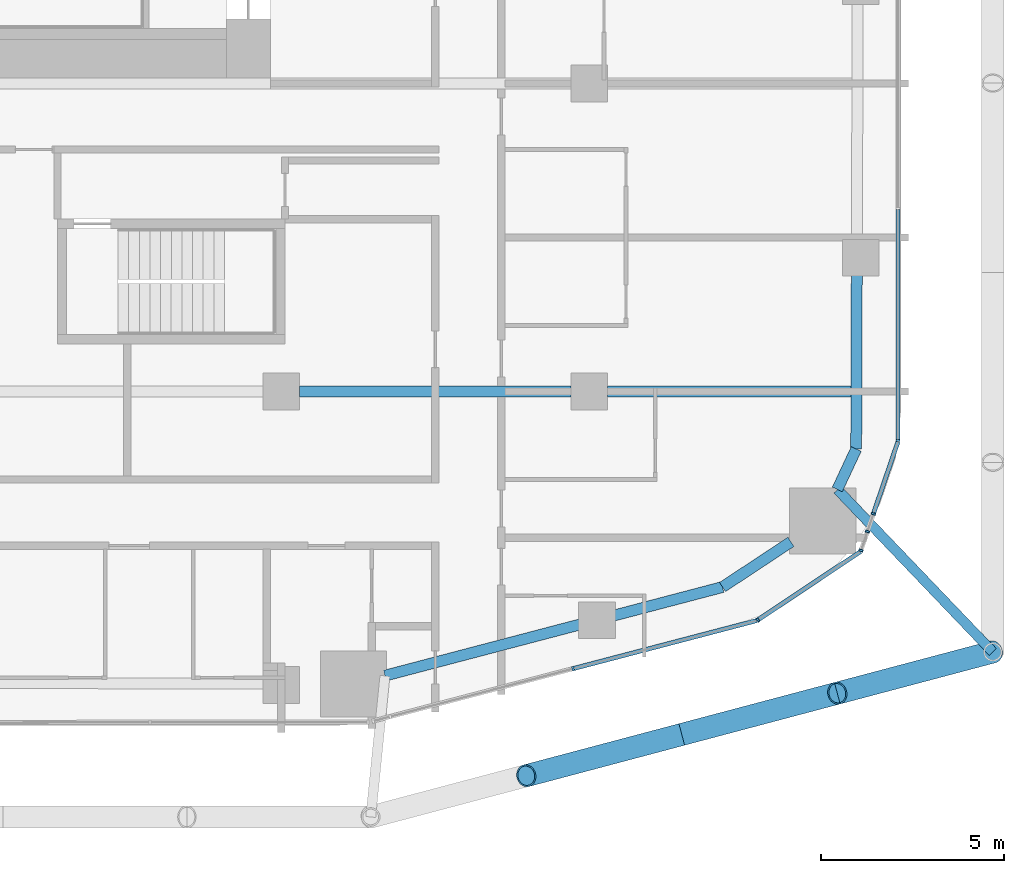
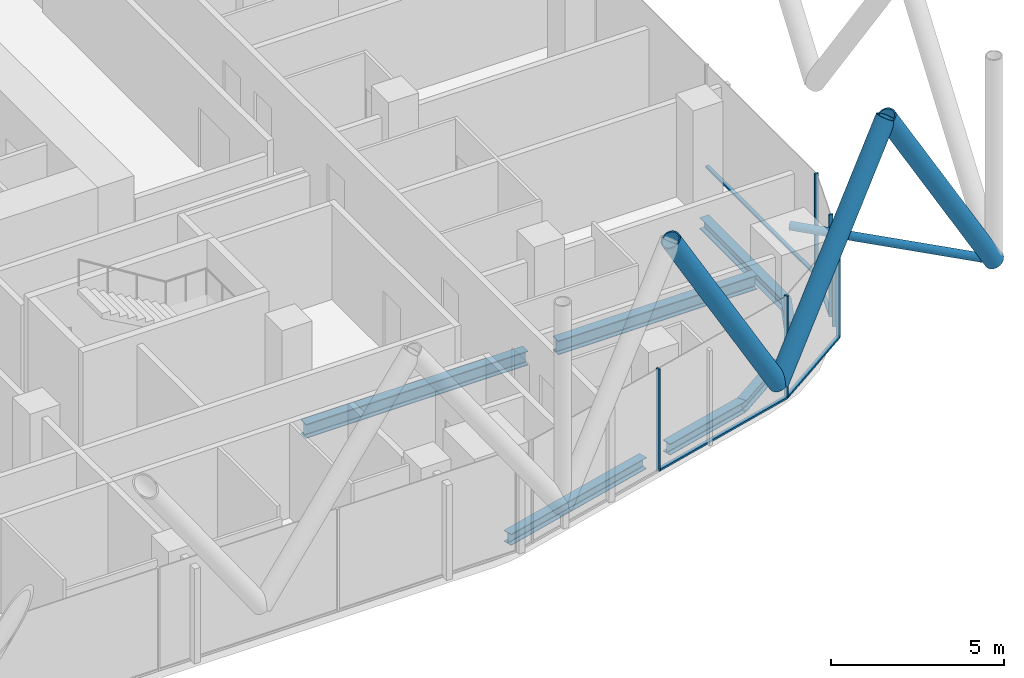
# One storey, part 6 of 35: 14 members, 7 beams, 6 elements without a shape of their own.
"""IFC4 building model written with IfcOpenShell, lengths in metres."""

from ifc_helpers import new_model, si_unit, direction, frame, origin, origin_2d, place, context, subcontext, project, spatial, rectangle, hollow_circle, i_section, extrude, material, layer, layer_set, material_profile, profile_set, type_object, element, aggregate, save


model = new_model("IFC4")

# Units and contexts
model_context = context("Model", 3, precision=1e-05, world=origin(), true_north=direction((0.0, 1.0)))
body_context = subcontext(model_context, "Body", "Model", "MODEL_VIEW")
ifc_project = project(units=[si_unit("LENGTHUNIT", "METRE"), si_unit("AREAUNIT", "SQUARE_METRE"), si_unit("VOLUMEUNIT", "CUBIC_METRE"), si_unit("PLANEANGLEUNIT", "RADIAN"), si_unit("MASSUNIT", "GRAM", prefix="KILO")], contexts=[model_context])

# Site, building, storey
site_placement = place(None, origin())
site = spatial("IfcSite", under=ifc_project, at=site_placement, CompositionType="ELEMENT")
building_placement = place(site_placement, origin())
building = spatial("IfcBuilding", under=site, at=building_placement, Name="Marenta Gate Hotel Tower", CompositionType="ELEMENT")
storey_placement = place(building_placement, frame((0.0, 0.0, 61.699951171875)))
storey = spatial("IfcBuildingStorey", under=building, at=storey_placement, Name="L13", CompositionType="ELEMENT", Elevation=61.699951171875)

# Members
ifc_material_1 = material(Name="Steel S355J2W", Category="steel")
ifc_material_profile_1 = material_profile(ifc_material_1, hollow_circle(Radius=0.304931640625, WallThickness=0.0400390625, at=origin_2d()), Name="CHS 610x40")
ifc_profile_set_1 = profile_set([ifc_material_profile_1], Name="Steel S355J2W")
member_type_1 = type_object("IfcMemberType", Name="Diagrid diagonal Z1 CHS 610x40", PredefinedType="BRACE", material=ifc_profile_set_1)
for number, where, z_axis, x_axis, name in (
    (1, (32.0, -15.500244140625, 3.14013671875), (-0.502925961678, -0.133405107407, 0.853972221087), (0.256391194513, -0.966573098827, 0.0), "L13-DG-11"),
    (2, (23.51953125, -17.75, 3.14013671875), (0.502924018666, 0.133433548941, 0.853968921838), (-0.256443187528, 0.96655930577, 0.0), "L13-DG-12"),
    (3, (23.51953125, -17.75, 3.14013671875), (-0.502924018666, -0.133433548941, 0.853968921838), (0.256443187528, -0.96655930577, 0.0), "L13-DG-13"),
):
    element("IfcMember", number, at=place(storey_placement, frame(where, z_axis=z_axis, x_axis=x_axis)), inside=storey, type_object=member_type_1, Name=name, PredefinedType="BRACE", context=body_context, shape_type="SweptSolid", body=[
        extrude(hollow_circle(Radius=0.304931640625, WallThickness=0.0400390625, at=origin_2d()), origin(), (0.0, 0.0, 1.0), 8.43115234375),
    ])

# Beams
ifc_material_2 = material(Name="Steel S355", Category="steel")
ifc_material_profile_2 = material_profile(ifc_material_2, i_section(OverallWidth=0.300048828125, OverallDepth=0.39990234375, WebThickness=0.013427734375, FlangeThickness=0.02392578125, FilletRadius=0.027099609375, at=origin_2d()), Name="HEB 400")
ifc_profile_set_2 = profile_set([ifc_material_profile_2], Name="Steel S355")
beam_type_1 = type_object("IfcBeamType", Name="Edge beam HEB 400", PredefinedType="SPANDREL", material=ifc_profile_set_2)
beam_1_placement = place(storey_placement, frame((28.291015625, -5.2119140625, -0.4599609375), z_axis=(-0.003337079684, -0.999994431934, 0.0), x_axis=(0.999994431934, -0.003337079684, 0.0)))
element("IfcBeam", 4, at=beam_1_placement, inside=storey, type_object=beam_type_1, Name="L13-EB-27", PredefinedType="SPANDREL", context=body_context, shape_type="SweptSolid", body=[
    extrude(i_section(OverallWidth=0.300048828125, OverallDepth=0.39990234375, WebThickness=0.013427734375, FlangeThickness=0.02392578125, FilletRadius=0.027099609375, at=origin_2d()), origin(), (0.0, 0.0, 1.0), 4.75537109375),
])
beam_2_placement = place(storey_placement, frame((28.275146484375, -9.96728515625, -0.4599609375), z_axis=(-0.423291965192, -0.905993329006, 0.0), x_axis=(0.905993329006, -0.423291965192, 0.0)))
element("IfcBeam", 5, at=beam_2_placement, inside=storey, type_object=beam_type_1, Name="L13-EB-28", PredefinedType="SPANDREL", context=body_context, shape_type="SweptSolid", body=[
    extrude(i_section(OverallWidth=0.300048828125, OverallDepth=0.39990234375, WebThickness=0.013427734375, FlangeThickness=0.02392578125, FilletRadius=0.027099609375, at=origin_2d()), origin(), (0.0, 0.0, 1.0), 1.21630859375),
])
beam_3_placement = place(storey_placement, frame((26.496337890625, -12.498291015625, -0.4599609375), z_axis=(-0.834510054819, -0.550992711754, 0.0), x_axis=(0.550992711754, -0.834510054819, 0.0)))
element("IfcBeam", 6, at=beam_3_placement, inside=storey, type_object=beam_type_1, Name="L13-EB-29", PredefinedType="SPANDREL", context=body_context, shape_type="SweptSolid", body=[
    extrude(i_section(OverallWidth=0.300048828125, OverallDepth=0.39990234375, WebThickness=0.013427734375, FlangeThickness=0.02392578125, FilletRadius=0.027099609375, at=origin_2d()), origin(), (0.0, 0.0, 1.0), 2.237060546875),
])
beam_4_placement = place(storey_placement, frame((24.62939453125, -13.73095703125, -0.4599609375), z_axis=(-0.967228272573, -0.253908386501, 0.0), x_axis=(0.253908386501, -0.967228272573, 0.0)))
element("IfcBeam", 7, at=beam_4_placement, inside=storey, type_object=beam_type_1, Name="L13-EB-30", PredefinedType="SPANDREL", context=body_context, shape_type="SweptSolid", body=[
    extrude(i_section(OverallWidth=0.300048828125, OverallDepth=0.39990234375, WebThickness=0.013427734375, FlangeThickness=0.02392578125, FilletRadius=0.027099609375, at=origin_2d()), origin(), (0.0, 0.0, 1.0), 3.0615234375),
])
beam_5_placement = place(storey_placement, frame((20.74560546875, -14.75048828125, -0.4599609375), z_axis=(-0.967231374294, -0.253896570638, 0.0), x_axis=(0.253896570638, -0.967231374294, 0.0)))
element("IfcBeam", 8, at=beam_5_placement, inside=storey, type_object=beam_type_1, Name="L13-EB-31", PredefinedType="SPANDREL", context=body_context, shape_type="SweptSolid", body=[
    extrude(i_section(OverallWidth=0.300048828125, OverallDepth=0.39990234375, WebThickness=0.013427734375, FlangeThickness=0.02392578125, FilletRadius=0.027099609375, at=origin_2d()), origin(), (0.0, 0.0, 1.0), 5.498291015625),
])

# Member
ifc_material_3 = material(Name="Steel S355J2W", Category="steel")
ifc_material_profile_3 = material_profile(ifc_material_3, hollow_circle(Radius=0.136474609375, WallThickness=0.012451171875, at=origin_2d()), Name="CHS 273x12.5")
ifc_profile_set_3 = profile_set([ifc_material_profile_3], Name="Steel S355J2W")
member_type_2 = type_object("IfcMemberType", Name="Floor tie CHS 273x12.5", PredefinedType="STRUT", material=ifc_profile_set_3)
member_1_placement = place(storey_placement, frame((32.0, -15.500244140625, 3.14013671875), z_axis=(-0.691351135911, 0.722518931845, 0.0), x_axis=(-0.722518931845, -0.691351135911, 0.0)))
element("IfcMember", 9, at=member_1_placement, inside=storey, type_object=member_type_2, Name="L13-DR-8", PredefinedType="STRUT", context=body_context, shape_type="SweptSolid", body=[
    extrude(hollow_circle(Radius=0.136474609375, WallThickness=0.012451171875, at=origin_2d()), origin(), (0.0, 0.0, 1.0), 6.12548828125),
])

# Beams
ifc_material_4 = material(Name="Steel S355", Category="steel")
ifc_material_profile_4 = material_profile(ifc_material_4, i_section(OverallWidth=0.300048828125, OverallDepth=0.5, WebThickness=0.014404296875, FlangeThickness=0.028076171875, FilletRadius=0.027099609375, at=origin_2d()), Name="HEB 500")
ifc_profile_set_4 = profile_set([ifc_material_profile_4], Name="Steel S355")
beam_type_2 = type_object("IfcBeamType", Name="Girder HEB 500", PredefinedType="BEAM", material=ifc_profile_set_4)
beam_6_placement = place(storey_placement, frame((13.10009765625, -8.39990234375, -0.510009765625), z_axis=(1.0, 0.0, 0.0), x_axis=(0.0, 1.0, 0.0)))
element("IfcBeam", 10, at=beam_6_placement, inside=storey, type_object=beam_type_2, Name="L13-GD-6", PredefinedType="BEAM", context=body_context, shape_type="SweptSolid", body=[
    extrude(i_section(OverallWidth=0.300048828125, OverallDepth=0.5, WebThickness=0.014404296875, FlangeThickness=0.028076171875, FilletRadius=0.027099609375, at=origin_2d()), origin(), (0.0, 0.0, 1.0), 7.39990234375),
])
beam_7_placement = place(storey_placement, frame((21.5, -8.39990234375, -0.510009765625), z_axis=(1.0, 0.0, 0.0), x_axis=(0.0, 1.0, 0.0)))
element("IfcBeam", 11, at=beam_7_placement, inside=storey, type_object=beam_type_2, Name="L13-GD-7", PredefinedType="BEAM", context=body_context, shape_type="SweptSolid", body=[
    extrude(i_section(OverallWidth=0.300048828125, OverallDepth=0.5, WebThickness=0.014404296875, FlangeThickness=0.028076171875, FilletRadius=0.027099609375, at=origin_2d()), origin(), (0.0, 0.0, 1.0), 6.63037109375),
])

# Curtain wall, member
ifc_material_5 = material(Name="Tinted insulated glass in bronze anodised frame", Category="glass")
ifc_layer = layer(ifc_material_5, 0.1201171875)
ifc_layer_set = layer_set([ifc_layer], Name="Tinted insulated glass in bronze anodised frame")
curtain_wall_type = type_object("IfcCurtainWallType", Name="Tower unitised curtain wall CW1", PredefinedType="NOTDEFINED", material=ifc_layer_set)
curtain_wall_1_placement = place(storey_placement, origin())
curtain_wall_1 = element("IfcCurtainWall", 12, at=curtain_wall_1_placement, inside=storey, type_object=curtain_wall_type, Name="CW1 run G13", PredefinedType="NOTDEFINED")
ifc_material_6 = material(Name="Bronze anodised aluminium", Category="aluminium")
ifc_material_profile_5 = material_profile(ifc_material_6, rectangle(XDim=0.1201171875, YDim=0.06005859375, at=origin_2d()), Name="Mullion CW1 60x120 bronze anodised aluminium")
ifc_profile_set_5 = profile_set([ifc_material_profile_5], Name="Bronze anodised aluminium")
member_type_3 = type_object("IfcMemberType", Name="Mullion CW1 60x120 bronze anodised aluminium", PredefinedType="MULLION", material=ifc_profile_set_5)
member_2_placement = place(storey_placement, frame((20.5546875, -15.95654296875, 0.0), z_axis=(0.0, 0.0, 1.0), x_axis=(-0.253363691666, 0.967371097224, 0.0)))
member_2 = element("IfcMember", 13, at=member_2_placement, type_object=member_type_3, Name="CW1 mullion 2", PredefinedType="MULLION", context=body_context, shape_type="SweptSolid", body=[
    extrude(rectangle(XDim=0.1201171875, YDim=0.06005859375, at=origin_2d()), origin(), (0.0, 0.0, 1.0), 3.60009765625),
])

curtain_wall_2_placement = place(storey_placement, origin())
curtain_wall_2 = element("IfcCurtainWall", 14, at=curtain_wall_2_placement, inside=storey, type_object=curtain_wall_type, Name="CW1 run G14", PredefinedType="NOTDEFINED")
member_3_placement = place(storey_placement, frame((25.592529296875, -14.626953125, 0.0), z_axis=(0.0, 0.0, 1.0), x_axis=(-0.554034324326, 0.832493824282, 0.0)))
member_3 = element("IfcMember", 15, at=member_3_placement, type_object=member_type_3, Name="CW1 mullion 1", PredefinedType="MULLION", context=body_context, shape_type="SweptSolid", body=[
    extrude(rectangle(XDim=0.1201171875, YDim=0.06005859375, at=origin_2d()), origin(), (0.0, 0.0, 1.0), 3.60009765625),
])

curtain_wall_3_placement = place(storey_placement, origin())
curtain_wall_3 = element("IfcCurtainWall", 16, at=curtain_wall_3_placement, inside=storey, type_object=curtain_wall_type, Name="CW1 run G15", PredefinedType="NOTDEFINED")
member_4_placement = place(storey_placement, frame((28.405517578125, -12.73291015625, 0.0), z_axis=(0.0, 0.0, 1.0), x_axis=(-0.946722456746, 0.322050601446, 0.0)))
member_4 = element("IfcMember", 17, at=member_4_placement, type_object=member_type_3, Name="CW1 mullion 1", PredefinedType="MULLION", context=body_context, shape_type="SweptSolid", body=[
    extrude(rectangle(XDim=0.1201171875, YDim=0.06005859375, at=origin_2d()), origin(), (0.0, 0.0, 1.0), 3.60009765625),
])
aggregate(curtain_wall_3, [member_4])

curtain_wall_4_placement = place(storey_placement, origin())
curtain_wall_4 = element("IfcCurtainWall", 18, at=curtain_wall_4_placement, inside=storey, type_object=curtain_wall_type, Name="CW1 run G16", PredefinedType="NOTDEFINED")
member_5_placement = place(storey_placement, frame((28.5810546875, -12.216552734375, 0.0), z_axis=(0.0, 0.0, 1.0), x_axis=(-0.946746478316, 0.321979977321, 0.0)))
member_5 = element("IfcMember", 19, at=member_5_placement, type_object=member_type_3, Name="CW1 mullion 1", PredefinedType="MULLION", context=body_context, shape_type="SweptSolid", body=[
    extrude(rectangle(XDim=0.1201171875, YDim=0.06005859375, at=origin_2d()), origin(), (0.0, 0.0, 1.0), 3.00048828125),
])
aggregate(curtain_wall_4, [member_5])

curtain_wall_5_placement = place(storey_placement, origin())
curtain_wall_5 = element("IfcCurtainWall", 20, at=curtain_wall_5_placement, inside=storey, type_object=curtain_wall_type, Name="CW1 run G17", PredefinedType="NOTDEFINED")
member_6_placement = place(storey_placement, frame((28.74560546875, -11.733154296875, 0.0), z_axis=(0.0, 0.0, 1.0), x_axis=(-0.946727867175, 0.322034696135, 0.0)))
member_6 = element("IfcMember", 21, at=member_6_placement, type_object=member_type_3, Name="CW1 mullion 1", PredefinedType="MULLION", context=body_context, shape_type="SweptSolid", body=[
    extrude(rectangle(XDim=0.1201171875, YDim=0.06005859375, at=origin_2d()), origin(), (0.0, 0.0, 1.0), 3.60009765625),
])

curtain_wall_6_placement = place(storey_placement, origin())
curtain_wall_6 = element("IfcCurtainWall", 22, at=curtain_wall_6_placement, inside=storey, type_object=curtain_wall_type, Name="CW1 run G18", PredefinedType="NOTDEFINED")
member_7_placement = place(storey_placement, frame((29.4140625, -9.738037109375, 0.0), z_axis=(0.0, 0.0, 1.0), x_axis=(-1.0, 0.0, 0.0)))
member_7 = element("IfcMember", 23, at=member_7_placement, type_object=member_type_3, Name="CW1 mullion 1", PredefinedType="MULLION", context=body_context, shape_type="SweptSolid", body=[
    extrude(rectangle(XDim=0.1201171875, YDim=0.06005859375, at=origin_2d()), origin(), (0.0, 0.0, 1.0), 3.60009765625),
])

# Member
ifc_material_7 = material(Name="Bronze anodised aluminium", Category="aluminium")
ifc_material_profile_6 = material_profile(ifc_material_7, rectangle(XDim=0.1201171875, YDim=0.06005859375, at=origin_2d()), Name="Transom CW1 60x120 bronze anodised aluminium")
ifc_profile_set_6 = profile_set([ifc_material_profile_6], Name="Bronze anodised aluminium")
member_type_4 = type_object("IfcMemberType", Name="Transom CW1 60x120 bronze anodised aluminium", PredefinedType="USERDEFINED", material=ifc_profile_set_6)
member_8_placement = place(storey_placement, frame((20.583740234375, -15.948974609375, 0.030029296875), z_axis=(0.967366692523, 0.253380508716, 0.0), x_axis=(-0.253380508716, 0.967366692523, 0.0)))
member_8 = element("IfcMember", 24, at=member_8_placement, type_object=member_type_4, Name="CW1 transom 2.1", ObjectType="TRANSOM", PredefinedType="USERDEFINED", context=body_context, shape_type="SweptSolid", body=[
    extrude(rectangle(XDim=0.1201171875, YDim=0.06005859375, at=origin_2d()), origin(), (0.0, 0.0, 1.0), 5.152099609375),
])

aggregate(curtain_wall_1, [member_2, member_8])

member_9_placement = place(storey_placement, frame((25.617431640625, -14.6103515625, 0.030029296875), z_axis=(0.832511449854, 0.554007839169, 0.0), x_axis=(-0.554007839169, 0.832511449854, 0.0)))
member_9 = element("IfcMember", 25, at=member_9_placement, type_object=member_type_4, Name="CW1 transom 1.1", ObjectType="TRANSOM", PredefinedType="USERDEFINED", context=body_context, shape_type="SweptSolid", body=[
    extrude(rectangle(XDim=0.1201171875, YDim=0.06005859375, at=origin_2d()), origin(), (0.0, 0.0, 1.0), 3.337158203125),
])

aggregate(curtain_wall_2, [member_3, member_9])

member_10_placement = place(storey_placement, frame((28.755126953125, -11.70458984375, 0.030029296875), z_axis=(0.322129530248, 0.94669560353, 0.0), x_axis=(-0.94669560353, 0.322129530248, 0.0)))
member_10 = element("IfcMember", 26, at=member_10_placement, type_object=member_type_4, Name="CW1 transom 1.1", ObjectType="TRANSOM", PredefinedType="USERDEFINED", context=body_context, shape_type="SweptSolid", body=[
    extrude(rectangle(XDim=0.1201171875, YDim=0.06005859375, at=origin_2d()), origin(), (0.0, 0.0, 1.0), 2.045654296875),
])

aggregate(curtain_wall_5, [member_6, member_10])

member_11_placement = place(storey_placement, frame((29.4140625, -9.7080078125, 0.030029296875), z_axis=(0.0, 1.0, 0.0), x_axis=(-1.0, 0.0, 0.0)))
member_11 = element("IfcMember", 27, at=member_11_placement, type_object=member_type_4, Name="CW1 transom 1.1", ObjectType="TRANSOM", PredefinedType="USERDEFINED", context=body_context, shape_type="SweptSolid", body=[
    extrude(rectangle(XDim=0.1201171875, YDim=0.06005859375, at=origin_2d()), origin(), (0.0, 0.0, 1.0), 6.27001953125),
])

aggregate(curtain_wall_6, [member_7, member_11])

save(model, "model.ifc")
